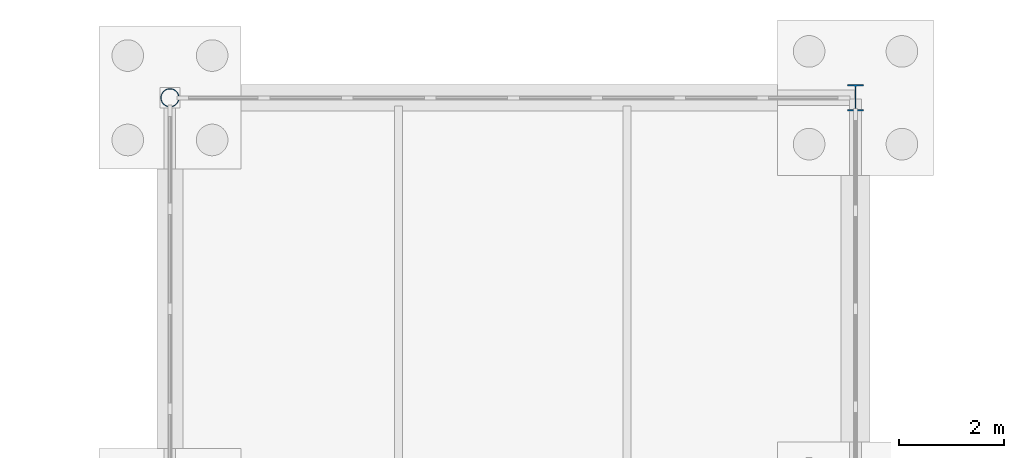
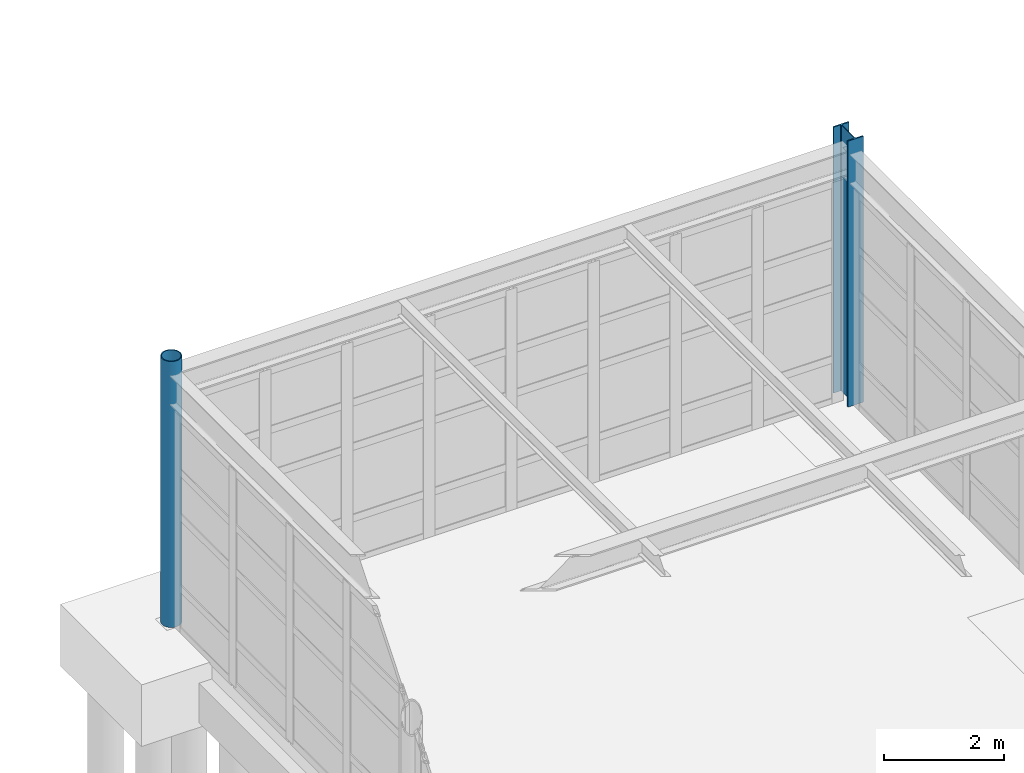
# One storey, part 21 of 145: 2 columns.
"""IFC4 building model written with IfcOpenShell, lengths in metres."""

import ifcopenshell
import ifcopenshell.guid

model = None  # the IFC model being written
_history = None  # IfcOwnerHistory: only IFC2X3 demands one
_inside = {}  # id of a spatial element -> (the spatial element, [elements in it])
_under = {}  # id of a project, library or spatial element -> (it, [spatial elements below it])
_declared = {}  # id of a project -> (the project, [libraries it declares])
_typed = {}  # id of a type object -> (the type object, [elements of that type])
_made_of = {}  # id of a material, layer set ... -> (it, [elements and type objects made of it])


def new_model(schema):
    """Start an empty IFC model of exactly this schema.

    Asked for "IFC4X3", IfcOpenShell would pick the latest addendum, in which some entities
    have other attributes; the version numbers below select the first issue.
    IFC2X3 requires an IfcOwnerHistory on every rooted entity: one is made here for all.
    """
    global model, _history
    if schema == "IFC4X3":
        model = ifcopenshell.file(schema_version=(4, 3, 0, 0))
    else:
        model = ifcopenshell.file(schema=schema)
    _inside.clear()
    _under.clear()
    _declared.clear()
    _typed.clear()
    _made_of.clear()
    _history = None
    if model.schema == "IFC2X3":
        org = make("IfcOrganization", Name="unknown")
        user = make(
            "IfcPersonAndOrganization",
            ThePerson=make("IfcPerson", FamilyName="unknown"),
            TheOrganization=org,
        )
        app = make(
            "IfcApplication",
            ApplicationDeveloper=org,
            Version="unknown",
            ApplicationFullName="unknown",
            ApplicationIdentifier="unknown",
        )
        _history = make(
            "IfcOwnerHistory",
            OwningUser=user,
            OwningApplication=app,
            ChangeAction="ADDED",
            CreationDate=0,
        )
    return model


def make(cls, **values):
    """One entity of the class cls with the attributes given. An attribute that is None is left unset."""
    return model.create_entity(
        cls, **{name: value for name, value in values.items() if value is not None}
    )


def rooted(cls, **values):
    """An entity with a GlobalId (a new one), such as an element, a storey or a relation."""
    return make(cls, GlobalId=ifcopenshell.guid.new(), OwnerHistory=_history, **values)


def si_unit(unit_type, name, prefix=None):
    """IfcSIUnit, for example si_unit("LENGTHUNIT", "METRE", prefix="MILLI")."""
    return make("IfcSIUnit", UnitType=unit_type, Prefix=prefix, Name=name)


def assignment(units):
    """IfcUnitAssignment: the units of a project."""
    return None if units is None else make("IfcUnitAssignment", Units=units)


def point(xyz):
    """IfcCartesianPoint."""
    return None if xyz is None else make("IfcCartesianPoint", Coordinates=xyz)


def direction(xyz):
    """IfcDirection."""
    return None if xyz is None else make("IfcDirection", DirectionRatios=xyz)


def frame(location, z_axis=None, x_axis=None):
    """IfcAxis2Placement3D, a coordinate frame: its origin and axes. An axis left out is left unset."""
    return make(
        "IfcAxis2Placement3D",
        Location=point(location),
        Axis=direction(z_axis),
        RefDirection=direction(x_axis),
    )


def frame_2d(location, x_axis=None):
    """IfcAxis2Placement2D, a coordinate frame in the plane: its origin and x axis."""
    return make(
        "IfcAxis2Placement2D", Location=point(location), RefDirection=direction(x_axis)
    )


def origin():
    """The frame at (0, 0, 0) with its axes left unset."""
    return frame((0.0, 0.0, 0.0))


def origin_2d():
    """The frame at (0, 0) in the plane with its x axis left unset."""
    return frame_2d((0.0, 0.0))


def place(relative_to, where):
    """IfcLocalPlacement: puts the frame where relative to a parent placement (None: the world)."""
    return make(
        "IfcLocalPlacement", PlacementRelTo=relative_to, RelativePlacement=where
    )


def context(
    kind, dimensions, precision=None, world=None, true_north=None, identifier=None
):
    """IfcGeometricRepresentationContext, for example the 3D "Model" context."""
    return make(
        "IfcGeometricRepresentationContext",
        ContextIdentifier=identifier,
        ContextType=kind,
        CoordinateSpaceDimension=dimensions,
        Precision=precision,
        WorldCoordinateSystem=world,
        TrueNorth=true_north,
    )


def subcontext(parent, identifier, kind, view, scale=None):
    """IfcGeometricRepresentationSubContext, for example "Body" below "Model"."""
    return make(
        "IfcGeometricRepresentationSubContext",
        ContextIdentifier=identifier,
        ContextType=kind,
        ParentContext=parent,
        TargetScale=scale,
        TargetView=view,
    )


def project(units=None, contexts=None):
    """IfcProject with its units and contexts."""
    return rooted(
        "IfcProject",
        Name="project",
        RepresentationContexts=contexts,
        UnitsInContext=assignment(units),
    )


def spatial(cls, under=None, at=None, **own):
    """A site, building, storey or space (cls), placed at a placement, below another one or the project."""
    s = rooted(cls, ObjectPlacement=at, **own)
    if under is not None:
        _under.setdefault(under.id(), (under, []))[1].append(s)
    return s


def profile(cls, at=None, kind="AREA", **sizes):
    """A parametric profile (cls). Its sizes go by their IFC names, for example OverallWidth=200.0."""
    return make(cls, ProfileType=kind, Position=at, **sizes)


def hollow_circle(**sizes):
    """IfcCircleHollowProfileDef."""
    return profile("IfcCircleHollowProfileDef", **sizes)


def i_section(**sizes):
    """IfcIShapeProfileDef."""
    return profile("IfcIShapeProfileDef", **sizes)


def extrude(swept, where, along, depth):
    """IfcExtrudedAreaSolid: the profile swept, set in the frame where, extruded along a direction by depth."""
    return make(
        "IfcExtrudedAreaSolid",
        SweptArea=swept,
        Position=where,
        ExtrudedDirection=direction(along),
        Depth=depth,
    )


def shape(context_of_items, identifier, shape_type, items):
    """IfcShapeRepresentation: the items that make up one representation, for example the "Body"."""
    return make(
        "IfcShapeRepresentation",
        ContextOfItems=context_of_items,
        RepresentationIdentifier=identifier,
        RepresentationType=shape_type,
        Items=items,
    )


def material(Name=None, Category=None):
    """IfcMaterial."""
    return make("IfcMaterial", Name=Name, Category=Category)


def material_profile(
    of_material, cross_section, Name=None, Category=None, Priority=None
):
    """IfcMaterialProfile: a cross section and its material."""
    return make(
        "IfcMaterialProfile",
        Name=Name,
        Material=of_material,
        Profile=cross_section,
        Priority=Priority,
        Category=Category,
    )


def profile_set(profiles, Name=None, composite=None):
    """IfcMaterialProfileSet."""
    return make(
        "IfcMaterialProfileSet",
        Name=Name,
        MaterialProfiles=profiles,
        CompositeProfile=composite,
    )


def made_of(thing, what):
    """Note that an element or type object is made of a material, layer set ...; save() writes the relation."""
    if what is not None:
        _made_of.setdefault(what.id(), (what, []))[1].append(thing)
    return thing


def type_object(cls, material=None, **own):
    """A type object (cls), such as IfcWallType, which elements share."""
    return made_of(rooted(cls, **own), material)


def element(
    cls,
    number,
    at=None,
    inside=None,
    cuts=None,
    type_object=None,
    material=None,
    context=None,
    identifier="Body",
    shape_type=None,
    held_by="IfcProductDefinitionShape",
    body=None,
    shapes=None,
    **own,
):
    """One element of the class cls, such as IfcWall. Its Tag is "e" and its number.

    at: its placement. inside: the storey or other place that contains it. cuts: it is an
    opening in that element (IfcRelVoidsElement). A single representation is given by context,
    identifier, shape_type and body (its items); several are given by shapes. held_by: the class
    of the entity that holds the representations. save() writes the other relations.
    """
    e = rooted(cls, Tag="e%d" % number, ObjectPlacement=at, **own)
    if body is not None:
        shapes = [shape(context, identifier, shape_type, body)]
    if shapes is not None:
        e.Representation = make(held_by, Representations=shapes)
    if inside is not None:
        _inside.setdefault(inside.id(), (inside, []))[1].append(e)
    if cuts is not None:
        rooted(
            "IfcRelVoidsElement", RelatingBuildingElement=cuts, RelatedOpeningElement=e
        )
    if type_object is not None:
        _typed.setdefault(type_object.id(), (type_object, []))[1].append(e)
    return made_of(e, material)


def aggregate(whole, parts):
    """IfcRelAggregates: a whole, such as a stair, and the parts it consists of."""
    return rooted("IfcRelAggregates", RelatingObject=whole, RelatedObjects=parts)


def save(model, path):
    """Write the relations noted so far, then the file.

    IfcRelAggregates (storeys below a building ...), IfcRelContainedInSpatialStructure (elements
    in a storey), IfcRelDefinesByType, IfcRelAssociatesMaterial and IfcRelDeclares: one each for
    every whole, place, type object, material and project.
    """
    for whole, parts in _under.values():
        aggregate(whole, parts)
    for where, things in _inside.values():
        rooted(
            "IfcRelContainedInSpatialStructure",
            RelatedElements=things,
            RelatingStructure=where,
        )
    for kind, things in _typed.values():
        rooted("IfcRelDefinesByType", RelatedObjects=things, RelatingType=kind)
    for what, things in _made_of.values():
        rooted("IfcRelAssociatesMaterial", RelatedObjects=things, RelatingMaterial=what)
    for by, libraries in _declared.values():
        rooted("IfcRelDeclares", RelatingContext=by, RelatedDefinitions=libraries)
    model.write(path)


model = new_model("IFC4")

# Units and contexts
model_context = context("Model", 3, precision=1e-05, world=origin(), true_north=direction((0.0, 1.0)))
body_context = subcontext(model_context, "Body", "Model", "MODEL_VIEW")
ifc_project = project(units=[si_unit("LENGTHUNIT", "METRE"), si_unit("AREAUNIT", "SQUARE_METRE"), si_unit("VOLUMEUNIT", "CUBIC_METRE"), si_unit("PLANEANGLEUNIT", "RADIAN"), si_unit("MASSUNIT", "GRAM", prefix="KILO"), si_unit("THERMODYNAMICTEMPERATUREUNIT", "KELVIN"), si_unit("POWERUNIT", "WATT")], contexts=[model_context])

# Site, building, storey
site_placement = place(None, origin())
site = spatial("IfcSite", under=ifc_project, at=site_placement, CompositionType="ELEMENT")
building_placement = place(site_placement, origin())
building = spatial("IfcBuilding", under=site, at=building_placement, Name="Korenveer Ferry Terminal", CompositionType="ELEMENT")
storey_placement = place(building_placement, origin())
storey = spatial("IfcBuildingStorey", under=building, at=storey_placement, Name="L00", CompositionType="ELEMENT", Elevation=0.0)

# Columns
ifc_material = material(Name="Steel S355", Category="steel")
ifc_material_profile_1 = material_profile(ifc_material, hollow_circle(Radius=0.177734375, WallThickness=0.01611328125, at=origin_2d()), Name="CHS 355.6x16")
ifc_profile_set_1 = profile_set([ifc_material_profile_1], Name="Steel S355")
column_type_1 = type_object("IfcColumnType", Name="STR-COL-CHS355", PredefinedType="COLUMN", material=ifc_profile_set_1)
column_1_placement = place(storey_placement, frame((40.0, 116.0, 0.0), z_axis=(0.0, 0.0, 1.0), x_axis=(1.0, 0.0, 0.0)))
element("IfcColumn", 1, at=column_1_placement, inside=storey, type_object=column_type_1, Name="Column COL-L00-X40-Y116", PredefinedType="COLUMN", context=body_context, shape_type="SweptSolid", body=[
    extrude(hollow_circle(Radius=0.177734375, WallThickness=0.01611328125, at=origin_2d()), origin(), (0.0, 0.0, 1.0), 5.39990234375),
])
ifc_material_profile_2 = material_profile(ifc_material, i_section(OverallWidth=0.300048828125, OverallDepth=0.5, WebThickness=0.014404296875, FlangeThickness=0.028076171875, FilletRadius=0.027099609375, at=origin_2d()), Name="HEB 500")
ifc_profile_set_2 = profile_set([ifc_material_profile_2], Name="Steel S355")
column_type_2 = type_object("IfcColumnType", Name="STR-COL-HEB500", PredefinedType="COLUMN", material=ifc_profile_set_2)
column_2_placement = place(storey_placement, frame((53.0, 116.0, 0.0), z_axis=(0.0, 0.0, 1.0), x_axis=(1.0, 0.0, 0.0)))
element("IfcColumn", 2, at=column_2_placement, inside=storey, type_object=column_type_2, Name="Column COL-L00-X53-Y116", PredefinedType="COLUMN", context=body_context, shape_type="SweptSolid", body=[
    extrude(i_section(OverallWidth=0.300048828125, OverallDepth=0.5, WebThickness=0.014404296875, FlangeThickness=0.028076171875, FilletRadius=0.027099609375, at=origin_2d()), origin(), (0.0, 0.0, 1.0), 5.39990234375),
])

save(model, "model.ifc")
